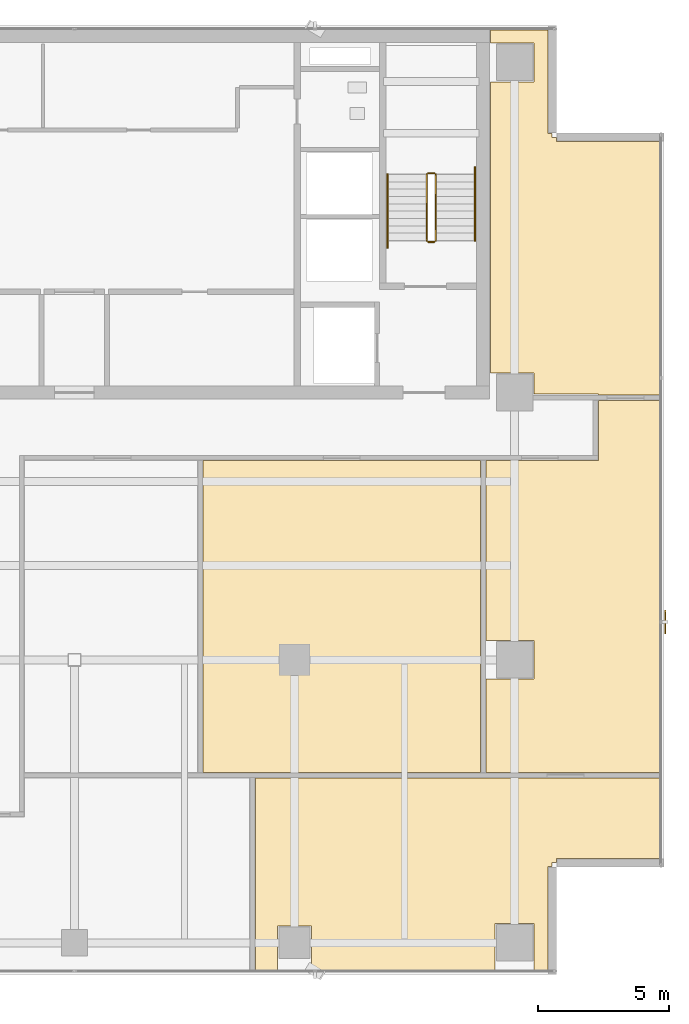
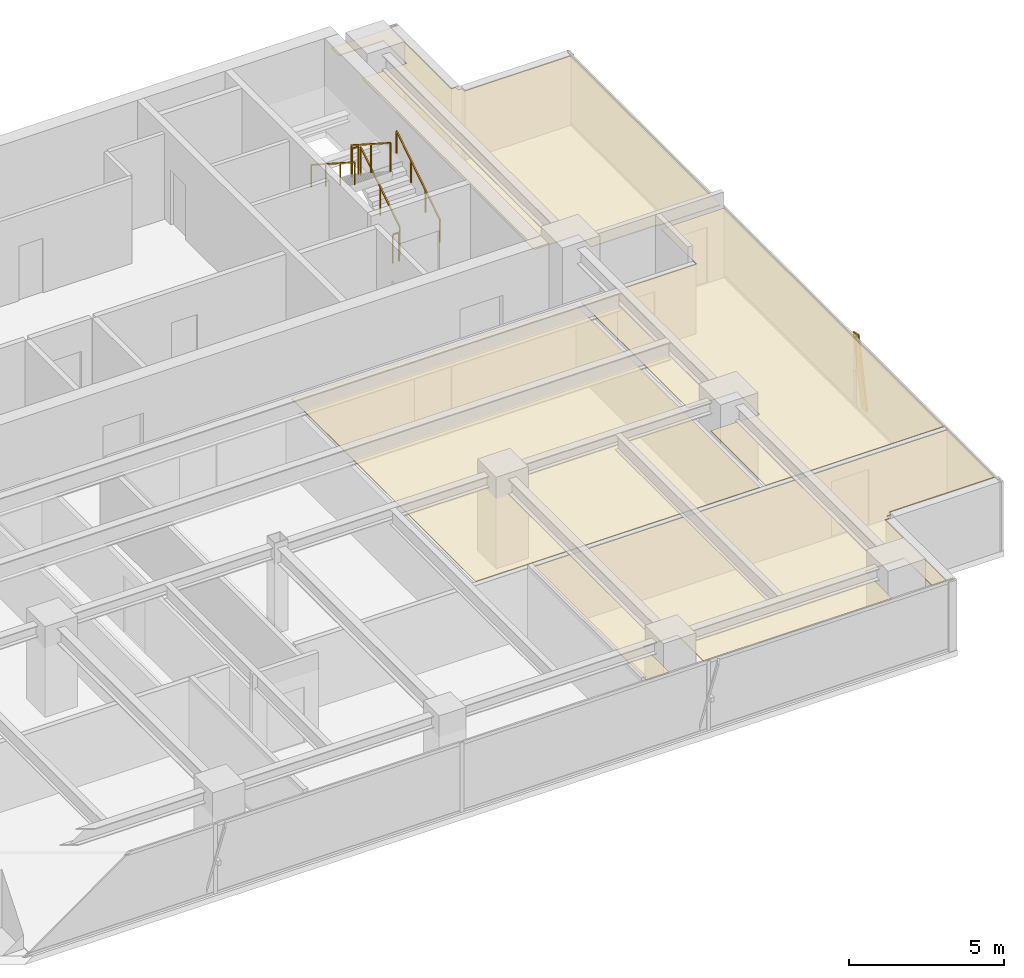
# One storey, part 24 of 26: 6 railings, 4 coverings, 1 shading device.
"""IFC4 building model written with IfcOpenShell, lengths in metres."""

from ifc_helpers import new_model, si_unit, direction, frame, origin, origin_2d, place, context, subcontext, project, spatial, polyline, rectangle, outline, extrude, source, transform, mapped, material, layer, layer_set, material_profile, profile_set, type_object, element, save


model = new_model("IFC4")

# Units and contexts
model_context = context("Model", 3, precision=1e-05, world=origin(), true_north=direction((0.0, 1.0)))
body_context = subcontext(model_context, "Body", "Model", "MODEL_VIEW")
ifc_project = project(units=[si_unit("LENGTHUNIT", "METRE"), si_unit("AREAUNIT", "SQUARE_METRE"), si_unit("VOLUMEUNIT", "CUBIC_METRE"), si_unit("PLANEANGLEUNIT", "RADIAN"), si_unit("MASSUNIT", "GRAM", prefix="KILO")], contexts=[model_context])

# Site, building, storey
site_placement = place(None, origin())
site = spatial("IfcSite", under=ifc_project, at=site_placement, CompositionType="ELEMENT")
building_placement = place(site_placement, origin())
building = spatial("IfcBuilding", under=site, at=building_placement, Name="Sumidabori Civic Tower", CompositionType="ELEMENT")
storey_placement = place(building_placement, frame((0.0, 0.0, 264.800048828125)))
storey = spatial("IfcBuildingStorey", under=building, at=storey_placement, Name="L69", CompositionType="ELEMENT", Elevation=264.800048828125)

# Coverings
ifc_material_1 = material(Name="Acoustic Mineral Gypsum Ceiling Tile")
ifc_layer = layer(ifc_material_1, 0.034912109375, Name="Acoustic Mineral Gypsum Ceiling Tile")
ifc_layer_set = layer_set([ifc_layer], Name="Acoustic Mineral Gypsum Ceiling Tile")
covering_type = type_object("IfcCoveringType", Name="CV-CEIL-AC1", PredefinedType="CEILING", material=ifc_layer_set)
covering_1_placement = place(storey_placement, frame((0.0, 0.0, 2.719970703125)))
element("IfcCovering", 1, at=covering_1_placement, inside=storey, type_object=covering_type, Name="Room Acoustic Ceiling L69-02", PredefinedType="CEILING", context=body_context, shape_type="SweptSolid", body=[
    extrude(outline(polyline([(17.5400390625, 22.06005859375), (17.5400390625, 23.5400390625), (15.8779296875, 23.5400390625), (15.8779296875, 24.030029296875), (18.072021484375, 24.030029296875), (18.072021484375, 20.092041015625), (18.22998046875, 20.092041015625), (18.22998046875, 19.929931640625), (18.39208984375, 19.929931640625), (18.39208984375, 19.77197265625), (22.330078125, 19.77197265625), (22.330078125, 10.110107421875), (20.0, 10.110107421875), (20.0, 10.14990234375), (17.5400390625, 10.14990234375), (17.5400390625, 10.93994140625), (15.8779296875, 10.93994140625), (15.8779296875, 22.06005859375), (17.5400390625, 22.06005859375)])), origin(), (0.0, 0.0, 1.0), 0.034912109375),
])
covering_2_placement = place(storey_placement, frame((0.0, 0.0, 2.719970703125)))
element("IfcCovering", 2, at=covering_2_placement, inside=storey, type_object=covering_type, Name="Room Acoustic Ceiling L69-04", PredefinedType="CEILING", context=body_context, shape_type="SweptSolid", body=[
    extrude(outline(polyline([(15.7099609375, -0.739990234375), (17.5400390625, -0.739990234375), (17.5400390625, 0.739990234375), (15.7099609375, 0.739990234375), (15.7099609375, 7.60009765625), (20.0, 7.60009765625), (20.0, 9.889892578125), (22.330078125, 9.889892578125), (22.330078125, -4.2900390625), (15.7099609375, -4.2900390625), (15.7099609375, -0.739990234375)])), origin(), (0.0, 0.0, 1.0), 0.034912109375),
])
covering_3_placement = place(storey_placement, frame((0.0, 0.0, 2.719970703125)))
element("IfcCovering", 3, at=covering_3_placement, inside=storey, type_object=covering_type, Name="Room Acoustic Ceiling L69-08", PredefinedType="CEILING", context=body_context, shape_type="SweptSolid", body=[
    extrude(outline(polyline([(4.909912109375, 7.60009765625), (15.489990234375, 7.60009765625), (15.489990234375, -4.2900390625), (4.909912109375, -4.2900390625), (4.909912109375, 7.60009765625)])), origin(), (0.0, 0.0, 1.0), 0.034912109375),
])
covering_4_placement = place(storey_placement, frame((0.0, 0.0, 2.719970703125)))
element("IfcCovering", 4, at=covering_4_placement, inside=storey, type_object=covering_type, Name="Room Acoustic Ceiling L69-10", PredefinedType="CEILING", context=body_context, shape_type="SweptSolid", body=[
    extrude(outline(polyline([(22.330078125, -4.510009765625), (22.330078125, -7.572021484375), (18.39208984375, -7.572021484375), (18.39208984375, -7.72998046875), (18.22998046875, -7.72998046875), (18.22998046875, -7.89208984375), (18.072021484375, -7.89208984375), (18.072021484375, -11.830078125), (17.5400390625, -11.830078125), (17.5400390625, -10.06005859375), (16.06005859375, -10.06005859375), (16.06005859375, -11.830078125), (9.0400390625, -11.830078125), (9.0400390625, -10.159912109375), (7.760009765625, -10.159912109375), (7.760009765625, -11.830078125), (6.909912109375, -11.830078125), (6.909912109375, -4.510009765625), (22.330078125, -4.510009765625)])), origin(), (0.0, 0.0, 1.0), 0.034912109375),
])

# Railings
ifc_material_2 = material(Name="Stainless Steel Hairline Finish", Category="steel")
railing_type_1 = type_object("IfcRailingType", Name="RL-HANDRAIL", PredefinedType="HANDRAIL", material=ifc_material_2)
railing_1_placement = place(storey_placement, frame((15.2900390625, 16.0, 0.179931640625)))
element("IfcRailing", 5, at=railing_1_placement, inside=storey, type_object=railing_type_1, Name="L69 ST-2 stair handrail 1", PredefinedType="HANDRAIL", context=body_context, shape_type="SweptSolid", body=[
    extrude(rectangle(XDim=0.048095703125, YDim=0.048095703125, at=origin_2d()), frame((0.0, 0.0, 0.8759765625), z_axis=(0.0, 0.840675598268, 0.541539046124), x_axis=(-1.0, 0.0, 0.0)), (0.0, 0.0, 1.0), 3.330810546875),
    extrude(rectangle(XDim=0.0419921875, YDim=0.0419921875, at=origin_2d()), origin(), (0.0, 0.0, 1.0), 0.851806640625),
    extrude(rectangle(XDim=0.0419921875, YDim=0.0419921875, at=origin_2d()), frame((0.0, 0.933349609375, 0.601318359375)), (0.0, 0.0, 1.0), 0.851806640625),
    extrude(rectangle(XDim=0.0419921875, YDim=0.0419921875, at=origin_2d()), frame((0.0, 1.86669921875, 1.202392578125)), (0.0, 0.0, 1.0), 0.851806640625),
    extrude(rectangle(XDim=0.0419921875, YDim=0.0419921875, at=origin_2d()), frame((0.0, 2.800048828125, 1.8037109375)), (0.0, 0.0, 1.0), 0.851806640625),
])
railing_2_placement = place(storey_placement, frame((11.949951171875, 18.52001953125, 1.97998046875)))
element("IfcRailing", 6, at=railing_2_placement, inside=storey, type_object=railing_type_1, Name="L69 ST-2 stair handrail 2", PredefinedType="HANDRAIL", context=body_context, shape_type="SweptSolid", body=[
    extrude(rectangle(XDim=0.048095703125, YDim=0.048095703125, at=origin_2d()), frame((0.0, 0.0, 0.8759765625), z_axis=(0.0, -0.840675598268, 0.541539046124), x_axis=(1.0, 0.0, 0.0)), (0.0, 0.0, 1.0), 3.330810546875),
    extrude(rectangle(XDim=0.0419921875, YDim=0.0419921875, at=origin_2d()), origin(), (0.0, 0.0, 1.0), 0.851806640625),
    extrude(rectangle(XDim=0.0419921875, YDim=0.0419921875, at=origin_2d()), frame((0.0, -0.933349609375, 0.601318359375)), (0.0, 0.0, 1.0), 0.851806640625),
    extrude(rectangle(XDim=0.0419921875, YDim=0.0419921875, at=origin_2d()), frame((0.0, -1.86669921875, 1.202392578125)), (0.0, 0.0, 1.0), 0.851806640625),
    extrude(rectangle(XDim=0.0419921875, YDim=0.0419921875, at=origin_2d()), frame((0.0, -2.800048828125, 1.8037109375)), (0.0, 0.0, 1.0), 0.851806640625),
])
ifc_material_3 = material(Name="Steel SN490", Category="steel")
railing_type_2 = type_object("IfcRailingType", Name="RL-STAIR-GUARD", PredefinedType="GUARDRAIL", material=ifc_material_3)
railing_3_placement = place(storey_placement, frame((13.7900390625, 16.0, 0.179931640625)))
element("IfcRailing", 7, at=railing_3_placement, inside=storey, type_object=railing_type_2, Name="L69 ST-2 stair guard 1", PredefinedType="GUARDRAIL", context=body_context, shape_type="SweptSolid", body=[
    extrude(rectangle(XDim=0.048095703125, YDim=0.048095703125, at=origin_2d()), frame((0.0, 0.0, 1.1259765625), z_axis=(0.0, 0.841162588446, 0.540782303519), x_axis=(-1.0, 0.0, 0.0)), (0.0, 0.0, 1.0), 2.995849609375),
    extrude(rectangle(XDim=0.0419921875, YDim=0.0419921875, at=origin_2d()), origin(), (0.0, 0.0, 1.0), 1.101806640625),
    extrude(rectangle(XDim=0.0419921875, YDim=0.0419921875, at=origin_2d()), frame((0.0, 1.260009765625, 0.81005859375)), (0.0, 0.0, 1.0), 1.101806640625),
    extrude(rectangle(XDim=0.0419921875, YDim=0.0419921875, at=origin_2d()), frame((0.0, 2.52001953125, 1.6201171875)), (0.0, 0.0, 1.0), 1.101806640625),
])
railing_4_placement = place(storey_placement, frame((13.739990234375, 18.570068359375, 1.800048828125)))
element("IfcRailing", 8, at=railing_4_placement, inside=storey, type_object=railing_type_2, Name="L69 ST-2 stair guard 2", PredefinedType="GUARDRAIL", context=body_context, shape_type="SweptSolid", body=[
    extrude(rectangle(XDim=0.048095703125, YDim=0.048095703125, at=origin_2d()), frame((0.0, 0.0, 1.1259765625), z_axis=(-1.0, 0.0, 0.0), x_axis=(0.0, -1.0, 0.0)), (0.0, 0.0, 1.0), 0.239990234375),
    extrude(rectangle(XDim=0.0419921875, YDim=0.0419921875, at=origin_2d()), origin(), (0.0, 0.0, 1.0), 1.101806640625),
    extrude(rectangle(XDim=0.0419921875, YDim=0.0419921875, at=origin_2d()), frame((-0.239990234375, 0.0, 0.0)), (0.0, 0.0, 1.0), 1.101806640625),
])
railing_5_placement = place(storey_placement, frame((13.449951171875, 18.52001953125, 1.97998046875)))
element("IfcRailing", 9, at=railing_5_placement, inside=storey, type_object=railing_type_2, Name="L69 ST-2 stair guard 3", PredefinedType="GUARDRAIL", context=body_context, shape_type="SweptSolid", body=[
    extrude(rectangle(XDim=0.048095703125, YDim=0.048095703125, at=origin_2d()), frame((0.0, 0.0, 1.1259765625), z_axis=(0.0, -0.841199657755, 0.540724639528), x_axis=(1.0, 0.0, 0.0)), (0.0, 0.0, 1.0), 2.995849609375),
    extrude(rectangle(XDim=0.0419921875, YDim=0.0419921875, at=origin_2d()), origin(), (0.0, 0.0, 1.0), 1.101806640625),
    extrude(rectangle(XDim=0.0419921875, YDim=0.0419921875, at=origin_2d()), frame((0.0, -1.260009765625, 0.81005859375)), (0.0, 0.0, 1.0), 1.101806640625),
    extrude(rectangle(XDim=0.0419921875, YDim=0.0419921875, at=origin_2d()), frame((0.0, -2.52001953125, 1.619873046875)), (0.0, 0.0, 1.0), 1.101806640625),
])
railing_6_placement = place(storey_placement, frame((13.739990234375, 15.949951171875, 0.0)))
element("IfcRailing", 10, at=railing_6_placement, inside=storey, type_object=railing_type_2, Name="L69 ST-2 stair guard 4", PredefinedType="GUARDRAIL", context=body_context, shape_type="SweptSolid", body=[
    extrude(rectangle(XDim=0.048095703125, YDim=0.048095703125, at=origin_2d()), frame((0.0, 0.0, 1.1259765625), z_axis=(-1.0, 0.0, 0.0), x_axis=(0.0, -1.0, 0.0)), (0.0, 0.0, 1.0), 0.239990234375),
    extrude(rectangle(XDim=0.0419921875, YDim=0.0419921875, at=origin_2d()), origin(), (0.0, 0.0, 1.0), 1.101806640625),
    extrude(rectangle(XDim=0.0419921875, YDim=0.0419921875, at=origin_2d()), frame((-0.239990234375, 0.0, 0.0)), (0.0, 0.0, 1.0), 1.101806640625),
])

# Shading device
ifc_material_4 = material(Name="Anodised Bronze Aluminium AW-6063-T6", Category="aluminium")
ifc_material_profile = material_profile(ifc_material_4, rectangle(XDim=0.054931640625, YDim=0.360107421875, at=origin_2d()), Name="BRONZE FIN 360x55")
ifc_profile_set = profile_set([ifc_material_profile], Name="Anodised Bronze Aluminium AW-6063-T6")
shading_device_type = type_object("IfcShadingDeviceType", Name="SH-FIN-360", PredefinedType="USERDEFINED", material=ifc_profile_set)
shared_shape = source(origin(), body_context, "Body", "SweptSolid", [
    extrude(rectangle(XDim=0.054931640625, YDim=0.360107421875, at=origin_2d()), origin(), (0.0, 0.0, 1.0), 2.74755859375),
])
shading_device_placement = place(storey_placement, frame((22.550048828125, 1.163330078125, 0.02001953125), z_axis=(0.0, 0.20383361069, 0.979005546028), x_axis=(-1.0, 0.0, 0.0)))
element("IfcShadingDevice", 11, at=shading_device_placement, inside=storey, type_object=shading_device_type, Name="Bronze Anodised Diagonal Fin L69-01", ObjectType="FIN", PredefinedType="USERDEFINED", context=body_context, shape_type="MappedRepresentation", body=[
    mapped(shared_shape, transform((0.0, 0.0, 0.0), x_axis=(1.0, 0.0, 0.0), y_axis=(0.0, 1.0, 0.0), z_axis=(0.0, 0.0, 1.0), scale=1.0)),
])

save(model, "model.ifc")
